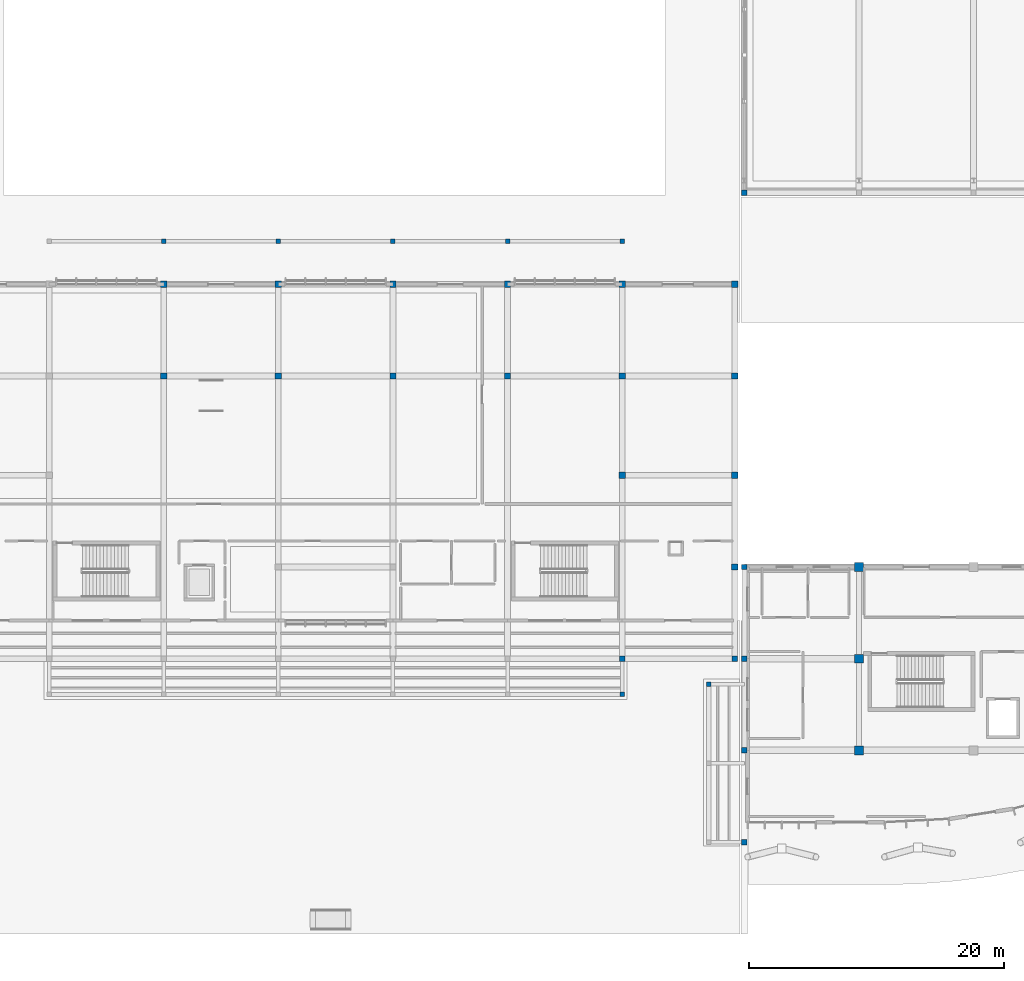
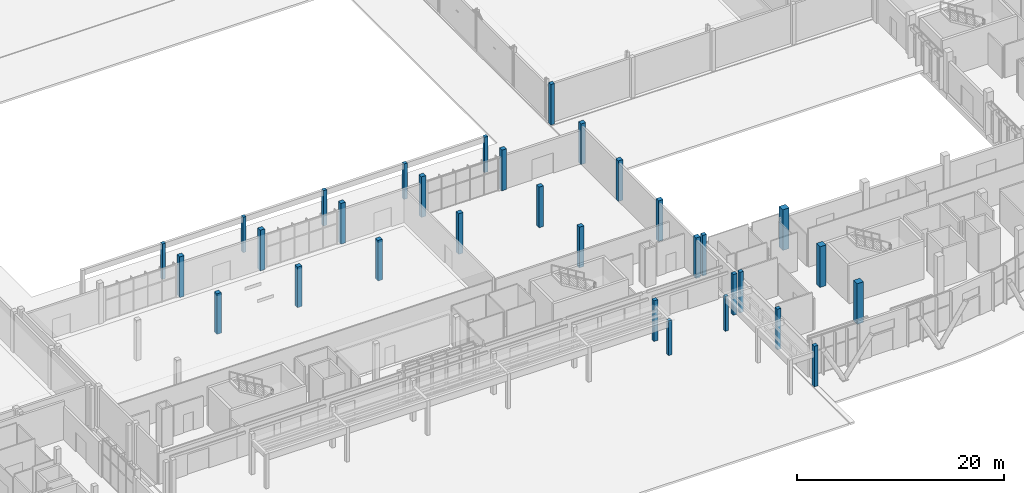
# One storey, part 2 of 151: 32 columns.
"""IFC4 building model written with IfcOpenShell, lengths in metres."""

from ifc_helpers import new_model, si_unit, direction, frame, origin, origin_2d, place, context, subcontext, project, spatial, rectangle, extrude, material, material_profile, profile_set, type_object, element, save


model = new_model("IFC4")

# Units and contexts
model_context = context("Model", 3, precision=1e-05, world=origin(), true_north=direction((0.0, 1.0)))
body_context = subcontext(model_context, "Body", "Model", "MODEL_VIEW")
ifc_project = project(units=[si_unit("LENGTHUNIT", "METRE"), si_unit("AREAUNIT", "SQUARE_METRE"), si_unit("VOLUMEUNIT", "CUBIC_METRE"), si_unit("PLANEANGLEUNIT", "RADIAN"), si_unit("MASSUNIT", "GRAM", prefix="KILO")], contexts=[model_context])

# Site, building, storey
site_placement = place(None, origin())
site = spatial("IfcSite", under=ifc_project, at=site_placement, CompositionType="ELEMENT")
building_placement = place(site_placement, origin())
building = spatial("IfcBuilding", under=site, at=building_placement, Name="Chiffa Square Polytechnic", CompositionType="ELEMENT")
storey_placement = place(building_placement, origin())
storey = spatial("IfcBuildingStorey", under=building, at=storey_placement, Name="L00", CompositionType="ELEMENT", Elevation=0.0)

# Columns
ifc_material_1 = material(Name="Glulam GL32c", Category="wood")
ifc_material_profile_1 = material_profile(ifc_material_1, rectangle(XDim=0.360107421875, YDim=0.360107421875, at=origin_2d()), Name="GL32c 360x360")
ifc_profile_set_1 = profile_set([ifc_material_profile_1], Name="Glulam GL32c")
column_type_1 = type_object("IfcColumnType", Name="COL-GL-360", PredefinedType="COLUMN", material=ifc_profile_set_1)
for number, where, z_axis, x_axis, name in (
    (1, (66.60009765625, 54.39990234375, 0.0), (0.0, 0.0, 1.0), (1.0, 0.0, 0.0), "Courtyard pergola post COL-CY-L00-02"),
    (2, (75.60009765625, 54.39990234375, 0.0), (0.0, 0.0, 1.0), (1.0, 0.0, 0.0), "Courtyard pergola post COL-CY-L00-03"),
    (3, (84.60009765625, 54.39990234375, 0.0), (0.0, 0.0, 1.0), (1.0, 0.0, 0.0), "Courtyard pergola post COL-CY-L00-04"),
    (4, (93.60009765625, 54.39990234375, 0.0), (0.0, 0.0, 1.0), (1.0, 0.0, 0.0), "Courtyard pergola post COL-CY-L00-05"),
    (5, (102.60009765625, 54.39990234375, 0.0), (0.0, 0.0, 1.0), (1.0, 0.0, 0.0), "Courtyard pergola post COL-CY-L00-06"),
):
    element("IfcColumn", number, at=place(storey_placement, frame(where, z_axis=z_axis, x_axis=x_axis)), inside=storey, type_object=column_type_1, Name=name, PredefinedType="COLUMN", context=body_context, shape_type="SweptSolid", body=[
        extrude(rectangle(XDim=0.360107421875, YDim=0.360107421875, at=origin_2d()), origin(), (0.0, 0.0, 1.0), 4.199951171875),
    ])
for number, where, z_axis, x_axis, name in (
    (6, (102.60009765625, 18.800048828125, 0.0), (0.0, 0.0, 1.0), (1.0, 0.0, 0.0), "Civic square north portico glulam post COL-SQN-L00-06"),
    (7, (109.39990234375, 19.60009765625, 0.0), (0.0, 0.0, 1.0), (1.0, 0.0, 0.0), "Civic square east portico glulam post COL-SQE-L00-03"),
):
    element("IfcColumn", number, at=place(storey_placement, frame(where, z_axis=z_axis, x_axis=x_axis)), inside=storey, type_object=column_type_1, Name=name, PredefinedType="COLUMN", context=body_context, shape_type="SweptSolid", body=[
        extrude(rectangle(XDim=0.360107421875, YDim=0.360107421875, at=origin_2d()), origin(), (0.0, 0.0, 1.0), 4.10009765625),
    ])
ifc_material_profile_2 = material_profile(ifc_material_1, rectangle(XDim=0.419921875, YDim=0.419921875, at=origin_2d()), Name="GL32c 420x420")
ifc_profile_set_2 = profile_set([ifc_material_profile_2], Name="Glulam GL32c")
column_type_2 = type_object("IfcColumnType", Name="COL-GL-420", PredefinedType="COLUMN", material=ifc_profile_set_2)
for number, where, z_axis, x_axis, name in (
    (8, (112.199951171875, 7.199951171875, 0.0), (0.0, 0.0, 1.0), (1.0, 0.0, 0.0), "Column C-V1-L00-1122-0072"),
    (9, (112.199951171875, 14.39990234375, 0.0), (0.0, 0.0, 1.0), (1.0, 0.0, 0.0), "Column C-V1-L00-1122-0144"),
    (10, (112.199951171875, 21.60009765625, 0.0), (0.0, 0.0, 1.0), (1.0, 0.0, 0.0), "Column C-V1-L00-1122-0216"),
    (11, (112.199951171875, 28.800048828125, 0.0), (0.0, 0.0, 1.0), (1.0, 0.0, 0.0), "Column C-V1-L00-1122-0288"),
    (12, (112.199951171875, 58.199951171875, 0.0), (0.0, 0.0, 1.0), (1.0, 0.0, 0.0), "Column C-V2-L00-1122-0582"),
    (13, (102.60009765625, 21.60009765625, 0.0), (0.0, 0.0, 1.0), (1.0, 0.0, 0.0), "Column C-V4-L00-1026-0216"),
    (14, (111.449951171875, 21.60009765625, 0.0), (0.0, 0.0, 1.0), (1.0, 0.0, 0.0), "Column C-V4-L00-1114-0216"),
):
    element("IfcColumn", number, at=place(storey_placement, frame(where, z_axis=z_axis, x_axis=x_axis)), inside=storey, type_object=column_type_2, Name=name, PredefinedType="COLUMN", context=body_context, shape_type="SweptSolid", body=[
        extrude(rectangle(XDim=0.419921875, YDim=0.419921875, at=origin_2d()), origin(), (0.0, 0.0, 1.0), 4.800048828125),
    ])
ifc_material_2 = material(Name="Concrete C35/45", Category="concrete")
ifc_material_profile_3 = material_profile(ifc_material_2, rectangle(XDim=0.5, YDim=0.5, at=origin_2d()), Name="RC 500x500")
ifc_profile_set_3 = profile_set([ifc_material_profile_3], Name="Concrete C35/45")
column_type_3 = type_object("IfcColumnType", Name="COL-RC-500", PredefinedType="COLUMN", material=ifc_profile_set_3)
for number, where, z_axis, x_axis, name in (
    (15, (66.60009765625, 43.800048828125, 0.0), (0.0, 0.0, 1.0), (1.0, 0.0, 0.0), "Column C-V4-L00-0666-0438"),
    (16, (66.60009765625, 51.0, 0.0), (0.0, 0.0, 1.0), (1.0, 0.0, 0.0), "Column C-V4-L00-0666-0510"),
    (17, (75.60009765625, 43.800048828125, 0.0), (0.0, 0.0, 1.0), (1.0, 0.0, 0.0), "Column C-V4-L00-0756-0438"),
    (18, (75.60009765625, 51.0, 0.0), (0.0, 0.0, 1.0), (1.0, 0.0, 0.0), "Column C-V4-L00-0756-0510"),
    (19, (84.60009765625, 43.800048828125, 0.0), (0.0, 0.0, 1.0), (1.0, 0.0, 0.0), "Column C-V4-L00-0846-0438"),
    (20, (84.60009765625, 51.0, 0.0), (0.0, 0.0, 1.0), (1.0, 0.0, 0.0), "Column C-V4-L00-0846-0510"),
    (21, (93.60009765625, 43.800048828125, 0.0), (0.0, 0.0, 1.0), (1.0, 0.0, 0.0), "Column C-V4-L00-0936-0438"),
    (22, (93.60009765625, 51.0, 0.0), (0.0, 0.0, 1.0), (1.0, 0.0, 0.0), "Column C-V4-L00-0936-0510"),
    (23, (102.60009765625, 36.0, 0.0), (0.0, 0.0, 1.0), (1.0, 0.0, 0.0), "Column C-V4-L00-1026-0360"),
    (24, (102.60009765625, 43.800048828125, 0.0), (0.0, 0.0, 1.0), (1.0, 0.0, 0.0), "Column C-V4-L00-1026-0438"),
    (25, (102.60009765625, 51.0, 0.0), (0.0, 0.0, 1.0), (1.0, 0.0, 0.0), "Column C-V4-L00-1026-0510"),
    (26, (111.449951171875, 28.800048828125, 0.0), (0.0, 0.0, 1.0), (1.0, 0.0, 0.0), "Column C-V4-L00-1114-0288"),
    (27, (111.449951171875, 36.0, 0.0), (0.0, 0.0, 1.0), (1.0, 0.0, 0.0), "Column C-V4-L00-1114-0360"),
    (28, (111.449951171875, 43.800048828125, 0.0), (0.0, 0.0, 1.0), (1.0, 0.0, 0.0), "Column C-V4-L00-1114-0438"),
    (29, (111.449951171875, 51.0, 0.0), (0.0, 0.0, 1.0), (1.0, 0.0, 0.0), "Column C-V4-L00-1114-0510"),
):
    element("IfcColumn", number, at=place(storey_placement, frame(where, z_axis=z_axis, x_axis=x_axis)), inside=storey, type_object=column_type_3, Name=name, PredefinedType="COLUMN", context=body_context, shape_type="SweptSolid", body=[
        extrude(rectangle(XDim=0.5, YDim=0.5, at=origin_2d()), origin(), (0.0, 0.0, 1.0), 4.800048828125),
    ])
ifc_material_3 = material(Name="Concrete C40/50", Category="concrete")
ifc_material_profile_4 = material_profile(ifc_material_3, rectangle(XDim=0.699951171875, YDim=0.699951171875, at=origin_2d()), Name="RC 700x700")
ifc_profile_set_4 = profile_set([ifc_material_profile_4], Name="Concrete C40/50")
column_type_4 = type_object("IfcColumnType", Name="COL-RC-700", PredefinedType="COLUMN", material=ifc_profile_set_4)
for number, where, z_axis, x_axis, name in (
    (30, (121.199951171875, 14.39990234375, 0.0), (0.0, 0.0, 1.0), (1.0, 0.0, 0.0), "Column C-V1-L00-1212-0144"),
    (31, (121.199951171875, 21.60009765625, 0.0), (0.0, 0.0, 1.0), (1.0, 0.0, 0.0), "Column C-V1-L00-1212-0216"),
    (32, (121.199951171875, 28.800048828125, 0.0), (0.0, 0.0, 1.0), (1.0, 0.0, 0.0), "Column C-V1-L00-1212-0288"),
):
    element("IfcColumn", number, at=place(storey_placement, frame(where, z_axis=z_axis, x_axis=x_axis)), inside=storey, type_object=column_type_4, Name=name, PredefinedType="COLUMN", context=body_context, shape_type="SweptSolid", body=[
        extrude(rectangle(XDim=0.699951171875, YDim=0.699951171875, at=origin_2d()), origin(), (0.0, 0.0, 1.0), 4.800048828125),
    ])

save(model, "model.ifc")
